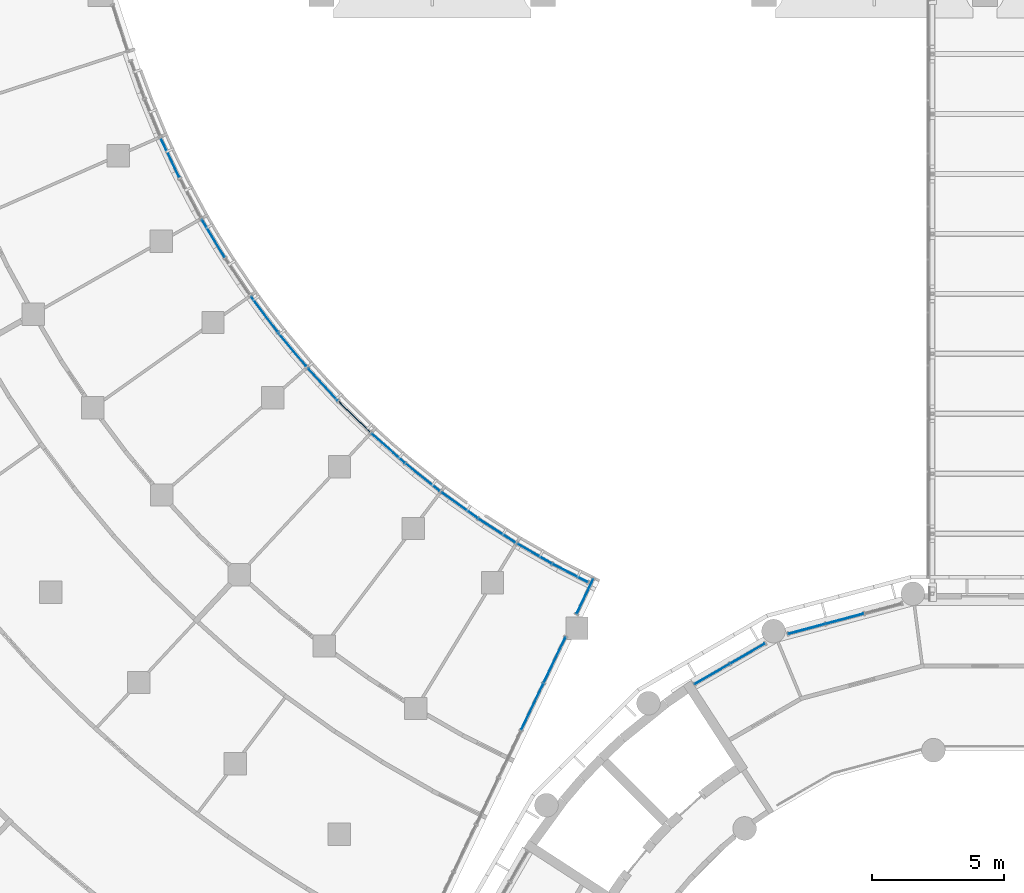
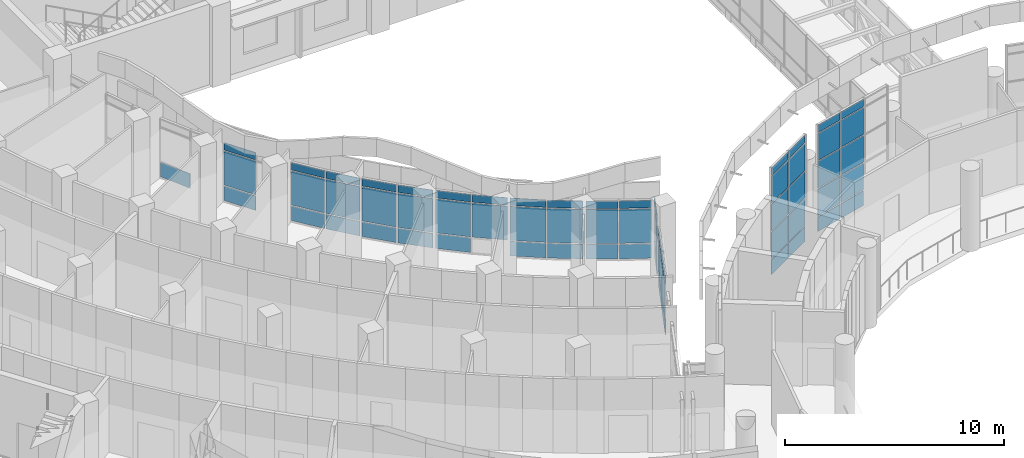
# One storey, part 47 of 136: 62 plates, 11 elements without a shape of their own.
"""IFC4 building model written with IfcOpenShell, lengths in metres."""

from ifc_helpers import new_model, si_unit, direction, frame, origin, origin_2d, place, context, subcontext, project, spatial, rectangle, extrude, material, layer, layer_set, type_object, element, aggregate, save


model = new_model("IFC4")

# Units and contexts
model_context = context("Model", 3, precision=1e-05, world=origin(), true_north=direction((0.0, 1.0)))
body_context = subcontext(model_context, "Body", "Model", "MODEL_VIEW")
ifc_project = project(units=[si_unit("LENGTHUNIT", "METRE"), si_unit("AREAUNIT", "SQUARE_METRE"), si_unit("VOLUMEUNIT", "CUBIC_METRE"), si_unit("PLANEANGLEUNIT", "RADIAN"), si_unit("MASSUNIT", "GRAM", prefix="KILO")], contexts=[model_context])

# Site, building, storey
site_placement = place(None, origin())
site = spatial("IfcSite", under=ifc_project, at=site_placement, CompositionType="ELEMENT")
building_placement = place(site_placement, origin())
building = spatial("IfcBuilding", under=site, at=building_placement, Name="Bougainvillea Quay General Hospital", CompositionType="ELEMENT")
storey_placement = place(building_placement, frame((0.0, 0.0, 5.39990234375)))
storey = spatial("IfcBuildingStorey", under=building, at=storey_placement, Name="L01", CompositionType="ELEMENT", Elevation=5.39990234375)

# Curtain wall, plates
ifc_material_1 = material(Name="Aluminium curtain wall system, powder-coated glazed", Category="aluminium")
curtain_wall_type_1 = type_object("IfcCurtainWallType", Name="Unitised curtain wall CW-1985", PredefinedType="NOTDEFINED", material=ifc_material_1)
curtain_wall_1_placement = place(storey_placement, origin())
curtain_wall_1 = element("IfcCurtainWall", 1, at=curtain_wall_1_placement, inside=storey, type_object=curtain_wall_type_1, Name="CW-AE 00", PredefinedType="NOTDEFINED")
ifc_material_2 = material(Name="Insulated aluminium spandrel panel, white", Category="aluminium")
ifc_layer_1 = layer(ifc_material_2, 0.028076171875)
ifc_layer_set_1 = layer_set([ifc_layer_1], Name="Insulated aluminium spandrel panel, white")
plate_type_1 = type_object("IfcPlateType", Name="Insulated spandrel panel white 28", PredefinedType="CURTAIN_PANEL", material=ifc_layer_set_1)
plate_1_placement = place(storey_placement, frame((92.002685546875, 90.52587890625, 0.06005859375), z_axis=(0.0, 0.0, 1.0), x_axis=(0.430563040838, 0.902560506484, 0.0)))
plate_1 = element("IfcPlate", 2, at=plate_1_placement, type_object=plate_type_1, Name="CW-AE spandrel panel 6.1", PredefinedType="CURTAIN_PANEL", context=body_context, shape_type="SweptSolid", body=[
    extrude(rectangle(XDim=1.9248046875, YDim=0.028076171875, at=origin_2d()), origin(), (0.0, 0.0, 1.0), 0.81005859375),
])
plate_2_placement = place(storey_placement, frame((92.002685546875, 90.52587890625, 2.88037109375), z_axis=(0.0, 0.0, 1.0), x_axis=(0.430563040838, 0.902560506484, 0.0)))
plate_2 = element("IfcPlate", 3, at=plate_2_placement, type_object=plate_type_1, Name="CW-AE spandrel panel 6.3", PredefinedType="CURTAIN_PANEL", context=body_context, shape_type="SweptSolid", body=[
    extrude(rectangle(XDim=1.9248046875, YDim=0.028076171875, at=origin_2d()), origin(), (0.0, 0.0, 1.0), 0.409912109375),
])
plate_3_placement = place(storey_placement, frame((92.850830078125, 92.3037109375, 0.06005859375), z_axis=(0.0, 0.0, 1.0), x_axis=(0.430563040838, 0.902560506484, 0.0)))
plate_3 = element("IfcPlate", 4, at=plate_3_placement, type_object=plate_type_1, Name="CW-AE spandrel panel 7.1", PredefinedType="CURTAIN_PANEL", context=body_context, shape_type="SweptSolid", body=[
    extrude(rectangle(XDim=1.894775390625, YDim=0.028076171875, at=origin_2d()), origin(), (0.0, 0.0, 1.0), 0.81005859375),
])
plate_4_placement = place(storey_placement, frame((92.850830078125, 92.3037109375, 2.88037109375), z_axis=(0.0, 0.0, 1.0), x_axis=(0.430563040838, 0.902560506484, 0.0)))
plate_4 = element("IfcPlate", 5, at=plate_4_placement, type_object=plate_type_1, Name="CW-AE spandrel panel 7.3", PredefinedType="CURTAIN_PANEL", context=body_context, shape_type="SweptSolid", body=[
    extrude(rectangle(XDim=1.894775390625, YDim=0.028076171875, at=origin_2d()), origin(), (0.0, 0.0, 1.0), 0.409912109375),
])

curtain_wall_type_2 = type_object("IfcCurtainWallType", Name="Unitised curtain wall CW-1555", PredefinedType="NOTDEFINED", material=ifc_material_1)
curtain_wall_2_placement = place(storey_placement, origin())
curtain_wall_2 = element("IfcCurtainWall", 6, at=curtain_wall_2_placement, inside=storey, type_object=curtain_wall_type_2, Name="CW-AE 01", PredefinedType="NOTDEFINED")
plate_5_placement = place(storey_placement, frame((94.002685546875, 94.718017578125, 0.06005859375), z_axis=(0.0, 0.0, 1.0), x_axis=(0.430563040838, 0.902560506484, 0.0)))
plate_5 = element("IfcPlate", 7, at=plate_5_placement, type_object=plate_type_1, Name="CW-AE spandrel panel 1.1", PredefinedType="CURTAIN_PANEL", context=body_context, shape_type="SweptSolid", body=[
    extrude(rectangle(XDim=1.434814453125, YDim=0.028076171875, at=origin_2d()), origin(), (0.0, 0.0, 1.0), 0.81005859375),
])
plate_6_placement = place(storey_placement, frame((94.002685546875, 94.718017578125, 2.88037109375), z_axis=(0.0, 0.0, 1.0), x_axis=(0.430563040838, 0.902560506484, 0.0)))
plate_6 = element("IfcPlate", 8, at=plate_6_placement, type_object=plate_type_1, Name="CW-AE spandrel panel 1.3", PredefinedType="CURTAIN_PANEL", context=body_context, shape_type="SweptSolid", body=[
    extrude(rectangle(XDim=1.434814453125, YDim=0.028076171875, at=origin_2d()), origin(), (0.0, 0.0, 1.0), 0.409912109375),
])

curtain_wall_type_3 = type_object("IfcCurtainWallType", Name="Unitised curtain wall CW-2100", PredefinedType="NOTDEFINED", material=ifc_material_1)
curtain_wall_3_placement = place(storey_placement, origin())
curtain_wall_3 = element("IfcCurtainWall", 9, at=curtain_wall_3_placement, inside=storey, type_object=curtain_wall_type_3, Name="CW-W01 a11b0", PredefinedType="NOTDEFINED")
plate_7_placement = place(storey_placement, frame((93.4384765625, 95.602294921875, 0.06005859375), z_axis=(0.0, 0.0, 1.0), x_axis=(-0.887958036873, 0.459924477228, 0.0)))
plate_7 = element("IfcPlate", 10, at=plate_7_placement, type_object=plate_type_1, Name="CW-W01 spandrel panel 1.1", PredefinedType="CURTAIN_PANEL", context=body_context, shape_type="SweptSolid", body=[
    extrude(rectangle(XDim=1.475830078125, YDim=0.028076171875, at=origin_2d()), origin(), (0.0, 0.0, 1.0), 0.81005859375),
])
plate_8_placement = place(storey_placement, frame((93.4384765625, 95.602294921875, 2.88037109375), z_axis=(0.0, 0.0, 1.0), x_axis=(-0.887958036873, 0.459924477228, 0.0)))
plate_8 = element("IfcPlate", 11, at=plate_8_placement, type_object=plate_type_1, Name="CW-W01 spandrel panel 1.3", PredefinedType="CURTAIN_PANEL", context=body_context, shape_type="SweptSolid", body=[
    extrude(rectangle(XDim=1.475830078125, YDim=0.028076171875, at=origin_2d()), origin(), (0.0, 0.0, 1.0), 0.409912109375),
])
plate_9_placement = place(storey_placement, frame((92.09130859375, 96.339599609375, 0.06005859375), z_axis=(0.0, 0.0, 1.0), x_axis=(-0.866007268476, 0.50003140996, 0.0)))
plate_9 = element("IfcPlate", 12, at=plate_9_placement, type_object=plate_type_1, Name="CW-W01 spandrel panel 2.1", PredefinedType="CURTAIN_PANEL", context=body_context, shape_type="SweptSolid", body=[
    extrude(rectangle(XDim=1.475830078125, YDim=0.028076171875, at=origin_2d()), origin(), (0.0, 0.0, 1.0), 0.81005859375),
])
plate_10_placement = place(storey_placement, frame((92.09130859375, 96.339599609375, 2.88037109375), z_axis=(0.0, 0.0, 1.0), x_axis=(-0.866007268476, 0.50003140996, 0.0)))
plate_10 = element("IfcPlate", 13, at=plate_10_placement, type_object=plate_type_1, Name="CW-W01 spandrel panel 2.3", PredefinedType="CURTAIN_PANEL", context=body_context, shape_type="SweptSolid", body=[
    extrude(rectangle(XDim=1.475830078125, YDim=0.028076171875, at=origin_2d()), origin(), (0.0, 0.0, 1.0), 0.409912109375),
])

curtain_wall_4_placement = place(storey_placement, origin())
curtain_wall_4 = element("IfcCurtainWall", 14, at=curtain_wall_4_placement, inside=storey, type_object=curtain_wall_type_3, Name="CW-W02 a11b1", PredefinedType="NOTDEFINED")
plate_11_placement = place(storey_placement, frame((90.657470703125, 97.216796875, 0.06005859375), z_axis=(0.0, 0.0, 1.0), x_axis=(-0.840897357359, 0.541194636325, 0.0)))
plate_11 = element("IfcPlate", 15, at=plate_11_placement, type_object=plate_type_1, Name="CW-W02 spandrel panel 1.1", PredefinedType="CURTAIN_PANEL", context=body_context, shape_type="SweptSolid", body=[
    extrude(rectangle(XDim=1.64697265625, YDim=0.028076171875, at=origin_2d()), origin(), (0.0, 0.0, 1.0), 0.81005859375),
])
plate_12_placement = place(storey_placement, frame((90.657470703125, 97.216796875, 2.88037109375), z_axis=(0.0, 0.0, 1.0), x_axis=(-0.840897357359, 0.541194636325, 0.0)))
plate_12 = element("IfcPlate", 16, at=plate_12_placement, type_object=plate_type_1, Name="CW-W02 spandrel panel 1.3", PredefinedType="CURTAIN_PANEL", context=body_context, shape_type="SweptSolid", body=[
    extrude(rectangle(XDim=1.64697265625, YDim=0.028076171875, at=origin_2d()), origin(), (0.0, 0.0, 1.0), 0.409912109375),
])
plate_13_placement = place(storey_placement, frame((89.246337890625, 98.17626953125, 0.06005859375), z_axis=(0.0, 0.0, 1.0), x_axis=(-0.812378779606, 0.583130104218, 0.0)))
plate_13 = element("IfcPlate", 17, at=plate_13_placement, type_object=plate_type_1, Name="CW-W02 spandrel panel 2.1", PredefinedType="CURTAIN_PANEL", context=body_context, shape_type="SweptSolid", body=[
    extrude(rectangle(XDim=1.64697265625, YDim=0.028076171875, at=origin_2d()), origin(), (0.0, 0.0, 1.0), 0.81005859375),
])
plate_14_placement = place(storey_placement, frame((89.246337890625, 98.17626953125, 2.88037109375), z_axis=(0.0, 0.0, 1.0), x_axis=(-0.812378779606, 0.583130104218, 0.0)))
plate_14 = element("IfcPlate", 18, at=plate_14_placement, type_object=plate_type_1, Name="CW-W02 spandrel panel 2.3", PredefinedType="CURTAIN_PANEL", context=body_context, shape_type="SweptSolid", body=[
    extrude(rectangle(XDim=1.64697265625, YDim=0.028076171875, at=origin_2d()), origin(), (0.0, 0.0, 1.0), 0.409912109375),
])

curtain_wall_5_placement = place(storey_placement, origin())
curtain_wall_5 = element("IfcCurtainWall", 19, at=curtain_wall_5_placement, inside=storey, type_object=curtain_wall_type_3, Name="CW-W03 a11b2", PredefinedType="NOTDEFINED")
plate_15_placement = place(storey_placement, frame((87.838134765625, 99.242431640625, 2.88037109375), z_axis=(0.0, 0.0, 1.0), x_axis=(-0.781770850765, 0.623565824026, 0.0)))
plate_15 = element("IfcPlate", 20, at=plate_15_placement, type_object=plate_type_1, Name="CW-W03 spandrel panel 1.3", PredefinedType="CURTAIN_PANEL", context=body_context, shape_type="SweptSolid", body=[
    extrude(rectangle(XDim=1.64697265625, YDim=0.028076171875, at=origin_2d()), origin(), (0.0, 0.0, 1.0), 0.409912109375),
])
plate_16_placement = place(storey_placement, frame((86.531494140625, 100.33984375, 0.06005859375), z_axis=(0.0, 0.0, 1.0), x_axis=(-0.749152291145, 0.662397799417, 0.0)))
plate_16 = element("IfcPlate", 21, at=plate_16_placement, type_object=plate_type_1, Name="CW-W03 spandrel panel 2.1", PredefinedType="CURTAIN_PANEL", context=body_context, shape_type="SweptSolid", body=[
    extrude(rectangle(XDim=1.64697265625, YDim=0.028076171875, at=origin_2d()), origin(), (0.0, 0.0, 1.0), 0.81005859375),
])
plate_17_placement = place(storey_placement, frame((86.531494140625, 100.33984375, 2.88037109375), z_axis=(0.0, 0.0, 1.0), x_axis=(-0.749152291145, 0.662397799417, 0.0)))
plate_17 = element("IfcPlate", 22, at=plate_17_placement, type_object=plate_type_1, Name="CW-W03 spandrel panel 2.3", PredefinedType="CURTAIN_PANEL", context=body_context, shape_type="SweptSolid", body=[
    extrude(rectangle(XDim=1.64697265625, YDim=0.028076171875, at=origin_2d()), origin(), (0.0, 0.0, 1.0), 0.409912109375),
])

curtain_wall_6_placement = place(storey_placement, origin())
curtain_wall_6 = element("IfcCurtainWall", 23, at=curtain_wall_6_placement, inside=storey, type_object=curtain_wall_type_3, Name="CW-W04 a11b3", PredefinedType="NOTDEFINED")
plate_18_placement = place(storey_placement, frame((85.23828125, 101.543212890625, 0.06005859375), z_axis=(0.0, 0.0, 1.0), x_axis=(-0.714606992183, 0.699526158712, 0.0)))
plate_18 = element("IfcPlate", 24, at=plate_18_placement, type_object=plate_type_1, Name="CW-W04 spandrel panel 1.1", PredefinedType="CURTAIN_PANEL", context=body_context, shape_type="SweptSolid", body=[
    extrude(rectangle(XDim=1.64697265625, YDim=0.028076171875, at=origin_2d()), origin(), (0.0, 0.0, 1.0), 0.81005859375),
])
plate_19_placement = place(storey_placement, frame((85.23828125, 101.543212890625, 2.88037109375), z_axis=(0.0, 0.0, 1.0), x_axis=(-0.714606992183, 0.699526158712, 0.0)))
plate_19 = element("IfcPlate", 25, at=plate_19_placement, type_object=plate_type_1, Name="CW-W04 spandrel panel 1.3", PredefinedType="CURTAIN_PANEL", context=body_context, shape_type="SweptSolid", body=[
    extrude(rectangle(XDim=1.64697265625, YDim=0.028076171875, at=origin_2d()), origin(), (0.0, 0.0, 1.0), 0.409912109375),
])
plate_20_placement = place(storey_placement, frame((84.049560546875, 102.767333984375, 0.06005859375), z_axis=(0.0, 0.0, 1.0), x_axis=(-0.678223800683, 0.734855411756, 0.0)))
plate_20 = element("IfcPlate", 26, at=plate_20_placement, type_object=plate_type_1, Name="CW-W04 spandrel panel 2.1", PredefinedType="CURTAIN_PANEL", context=body_context, shape_type="SweptSolid", body=[
    extrude(rectangle(XDim=1.64697265625, YDim=0.028076171875, at=origin_2d()), origin(), (0.0, 0.0, 1.0), 0.81005859375),
])
plate_21_placement = place(storey_placement, frame((84.049560546875, 102.767333984375, 2.88037109375), z_axis=(0.0, 0.0, 1.0), x_axis=(-0.678223800683, 0.734855411756, 0.0)))
plate_21 = element("IfcPlate", 27, at=plate_21_placement, type_object=plate_type_1, Name="CW-W04 spandrel panel 2.3", PredefinedType="CURTAIN_PANEL", context=body_context, shape_type="SweptSolid", body=[
    extrude(rectangle(XDim=1.64697265625, YDim=0.028076171875, at=origin_2d()), origin(), (0.0, 0.0, 1.0), 0.409912109375),
])

curtain_wall_7_placement = place(storey_placement, origin())
curtain_wall_7 = element("IfcCurtainWall", 28, at=curtain_wall_7_placement, inside=storey, type_object=curtain_wall_type_3, Name="CW-W05 a11b4", PredefinedType="NOTDEFINED")
plate_22_placement = place(storey_placement, frame((82.884765625, 104.09521484375, 0.06005859375), z_axis=(0.0, 0.0, 1.0), x_axis=(-0.64009629031, 0.768294695498, 0.0)))
plate_22 = element("IfcPlate", 29, at=plate_22_placement, type_object=plate_type_1, Name="CW-W05 spandrel panel 1.1", PredefinedType="CURTAIN_PANEL", context=body_context, shape_type="SweptSolid", body=[
    extrude(rectangle(XDim=1.64697265625, YDim=0.028076171875, at=origin_2d()), origin(), (0.0, 0.0, 1.0), 0.81005859375),
])
plate_23_placement = place(storey_placement, frame((82.884765625, 104.09521484375, 2.88037109375), z_axis=(0.0, 0.0, 1.0), x_axis=(-0.64009629031, 0.768294695498, 0.0)))
plate_23 = element("IfcPlate", 30, at=plate_23_placement, type_object=plate_type_1, Name="CW-W05 spandrel panel 1.3", PredefinedType="CURTAIN_PANEL", context=body_context, shape_type="SweptSolid", body=[
    extrude(rectangle(XDim=1.64697265625, YDim=0.028076171875, at=origin_2d()), origin(), (0.0, 0.0, 1.0), 0.409912109375),
])
plate_24_placement = place(storey_placement, frame((81.826171875, 105.43359375, 0.06005859375), z_axis=(0.0, 0.0, 1.0), x_axis=(-0.600322520933, 0.799758007688, 0.0)))
plate_24 = element("IfcPlate", 31, at=plate_24_placement, type_object=plate_type_1, Name="CW-W05 spandrel panel 2.1", PredefinedType="CURTAIN_PANEL", context=body_context, shape_type="SweptSolid", body=[
    extrude(rectangle(XDim=1.64697265625, YDim=0.028076171875, at=origin_2d()), origin(), (0.0, 0.0, 1.0), 0.81005859375),
])
plate_25_placement = place(storey_placement, frame((81.826171875, 105.43359375, 2.88037109375), z_axis=(0.0, 0.0, 1.0), x_axis=(-0.600322520933, 0.799758007688, 0.0)))
plate_25 = element("IfcPlate", 32, at=plate_25_placement, type_object=plate_type_1, Name="CW-W05 spandrel panel 2.3", PredefinedType="CURTAIN_PANEL", context=body_context, shape_type="SweptSolid", body=[
    extrude(rectangle(XDim=1.64697265625, YDim=0.028076171875, at=origin_2d()), origin(), (0.0, 0.0, 1.0), 0.409912109375),
])

curtain_wall_8_placement = place(storey_placement, origin())
curtain_wall_8 = element("IfcCurtainWall", 33, at=curtain_wall_8_placement, inside=storey, type_object=curtain_wall_type_3, Name="CW-W06 a11b5", PredefinedType="NOTDEFINED")
plate_26_placement = place(storey_placement, frame((79.88427734375, 108.311279296875, 0.06005859375), z_axis=(0.0, 0.0, 1.0), x_axis=(-0.516249351553, 0.856438326455, 0.0)))
plate_26 = element("IfcPlate", 34, at=plate_26_placement, type_object=plate_type_1, Name="CW-W06 spandrel panel 2.1", PredefinedType="CURTAIN_PANEL", context=body_context, shape_type="SweptSolid", body=[
    extrude(rectangle(XDim=1.64697265625, YDim=0.028076171875, at=origin_2d()), origin(), (0.0, 0.0, 1.0), 0.81005859375),
])
plate_27_placement = place(storey_placement, frame((79.88427734375, 108.311279296875, 2.88037109375), z_axis=(0.0, 0.0, 1.0), x_axis=(-0.516249351553, 0.856438326455, 0.0)))
plate_27 = element("IfcPlate", 35, at=plate_27_placement, type_object=plate_type_1, Name="CW-W06 spandrel panel 2.3", PredefinedType="CURTAIN_PANEL", context=body_context, shape_type="SweptSolid", body=[
    extrude(rectangle(XDim=1.64697265625, YDim=0.028076171875, at=origin_2d()), origin(), (0.0, 0.0, 1.0), 0.409912109375),
])

# Curtain wall, plate
curtain_wall_9_placement = place(storey_placement, origin())
curtain_wall_9 = element("IfcCurtainWall", 36, at=curtain_wall_9_placement, inside=storey, type_object=curtain_wall_type_3, Name="CW-W07 a11b6", PredefinedType="NOTDEFINED")
plate_28_placement = place(storey_placement, frame((78.24365234375, 111.370849609375, 0.06005859375), z_axis=(0.0, 0.0, 1.0), x_axis=(-0.426868645126, 0.904313640176, 0.0)))
plate_28 = element("IfcPlate", 37, at=plate_28_placement, type_object=plate_type_1, Name="CW-W07 spandrel panel 2.1", PredefinedType="CURTAIN_PANEL", context=body_context, shape_type="SweptSolid", body=[
    extrude(rectangle(XDim=1.64697265625, YDim=0.028076171875, at=origin_2d()), origin(), (0.0, 0.0, 1.0), 0.81005859375),
])
aggregate(curtain_wall_9, [plate_28])

# Curtain wall, plates
curtain_wall_type_4 = type_object("IfcCurtainWallType", Name="Unitised curtain wall CW-1514", PredefinedType="NOTDEFINED", material=ifc_material_1)
curtain_wall_10_placement = place(storey_placement, origin())
curtain_wall_10 = element("IfcCurtainWall", 38, at=curtain_wall_10_placement, inside=storey, type_object=curtain_wall_type_4, Name="CW-D 00", PredefinedType="NOTDEFINED")
plate_29_placement = place(storey_placement, frame((103.876220703125, 93.869140625, 0.06005859375), z_axis=(0.0, 0.0, 1.0), x_axis=(-0.965916292974, -0.258854621298, 0.0)))
plate_29 = element("IfcPlate", 39, at=plate_29_placement, type_object=plate_type_1, Name="CW-D spandrel panel 2.1", PredefinedType="CURTAIN_PANEL", context=body_context, shape_type="SweptSolid", body=[
    extrude(rectangle(XDim=1.453857421875, YDim=0.028076171875, at=origin_2d()), origin(), (0.0, 0.0, 1.0), 0.81005859375),
])
plate_30_placement = place(storey_placement, frame((103.876220703125, 93.869140625, 5.580078125), z_axis=(0.0, 0.0, 1.0), x_axis=(-0.965916292974, -0.258854621298, 0.0)))
plate_30 = element("IfcPlate", 40, at=plate_30_placement, type_object=plate_type_1, Name="CW-D spandrel panel 2.5", PredefinedType="CURTAIN_PANEL", context=body_context, shape_type="SweptSolid", body=[
    extrude(rectangle(XDim=1.453857421875, YDim=0.028076171875, at=origin_2d()), origin(), (0.0, 0.0, 1.0), 0.409912109375),
])
plate_31_placement = place(storey_placement, frame((102.428466796875, 93.48095703125, 0.06005859375), z_axis=(0.0, 0.0, 1.0), x_axis=(-0.965916292974, -0.258854621298, 0.0)))
plate_31 = element("IfcPlate", 41, at=plate_31_placement, type_object=plate_type_1, Name="CW-D spandrel panel 3.1", PredefinedType="CURTAIN_PANEL", context=body_context, shape_type="SweptSolid", body=[
    extrude(rectangle(XDim=1.423828125, YDim=0.028076171875, at=origin_2d()), origin(), (0.0, 0.0, 1.0), 0.81005859375),
])
plate_32_placement = place(storey_placement, frame((102.428466796875, 93.48095703125, 5.580078125), z_axis=(0.0, 0.0, 1.0), x_axis=(-0.965916292974, -0.258854621298, 0.0)))
plate_32 = element("IfcPlate", 42, at=plate_32_placement, type_object=plate_type_1, Name="CW-D spandrel panel 3.5", PredefinedType="CURTAIN_PANEL", context=body_context, shape_type="SweptSolid", body=[
    extrude(rectangle(XDim=1.423828125, YDim=0.028076171875, at=origin_2d()), origin(), (0.0, 0.0, 1.0), 0.409912109375),
])

curtain_wall_type_5 = type_object("IfcCurtainWallType", Name="Unitised curtain wall CW-1585", PredefinedType="NOTDEFINED", material=ifc_material_1)
curtain_wall_11_placement = place(storey_placement, origin())
curtain_wall_11 = element("IfcCurtainWall", 43, at=curtain_wall_11_placement, inside=storey, type_object=curtain_wall_type_5, Name="CW-D 00", PredefinedType="NOTDEFINED")
plate_33_placement = place(storey_placement, frame((100.1826171875, 92.5458984375, 0.06005859375), z_axis=(0.0, 0.0, 1.0), x_axis=(-0.866045865692, -0.499964557262, 0.0)))
plate_33 = element("IfcPlate", 44, at=plate_33_placement, type_object=plate_type_1, Name="CW-D spandrel panel 1.1", PredefinedType="CURTAIN_PANEL", context=body_context, shape_type="SweptSolid", body=[
    extrude(rectangle(XDim=1.494873046875, YDim=0.028076171875, at=origin_2d()), origin(), (0.0, 0.0, 1.0), 0.81005859375),
])
plate_34_placement = place(storey_placement, frame((100.1826171875, 92.5458984375, 5.580078125), z_axis=(0.0, 0.0, 1.0), x_axis=(-0.866045865692, -0.499964557262, 0.0)))
plate_34 = element("IfcPlate", 45, at=plate_34_placement, type_object=plate_type_1, Name="CW-D spandrel panel 1.5", PredefinedType="CURTAIN_PANEL", context=body_context, shape_type="SweptSolid", body=[
    extrude(rectangle(XDim=1.494873046875, YDim=0.028076171875, at=origin_2d()), origin(), (0.0, 0.0, 1.0), 0.409912109375),
])
plate_35_placement = place(storey_placement, frame((98.8359375, 91.768310546875, 0.06005859375), z_axis=(0.0, 0.0, 1.0), x_axis=(-0.866045865692, -0.499964557262, 0.0)))
plate_35 = element("IfcPlate", 46, at=plate_35_placement, type_object=plate_type_1, Name="CW-D spandrel panel 2.1", PredefinedType="CURTAIN_PANEL", context=body_context, shape_type="SweptSolid", body=[
    extrude(rectangle(XDim=1.494873046875, YDim=0.028076171875, at=origin_2d()), origin(), (0.0, 0.0, 1.0), 0.81005859375),
])
plate_36_placement = place(storey_placement, frame((98.8359375, 91.768310546875, 5.580078125), z_axis=(0.0, 0.0, 1.0), x_axis=(-0.866045865692, -0.499964557262, 0.0)))
plate_36 = element("IfcPlate", 47, at=plate_36_placement, type_object=plate_type_1, Name="CW-D spandrel panel 2.5", PredefinedType="CURTAIN_PANEL", context=body_context, shape_type="SweptSolid", body=[
    extrude(rectangle(XDim=1.494873046875, YDim=0.028076171875, at=origin_2d()), origin(), (0.0, 0.0, 1.0), 0.409912109375),
])

# Plate
ifc_material_3 = material(Name="Low-e laminated glass, solar control", Category="glass")
ifc_layer_2 = layer(ifc_material_3, 0.028076171875)
ifc_layer_set_2 = layer_set([ifc_layer_2], Name="Low-e laminated glass, solar control")
plate_type_2 = type_object("IfcPlateType", Name="Low-e laminated vision glass 28", PredefinedType="CURTAIN_PANEL", material=ifc_layer_set_2)
plate_37_placement = place(storey_placement, frame((92.002685546875, 90.52587890625, 0.93017578125), z_axis=(0.0, 0.0, 1.0), x_axis=(0.430563040838, 0.902560506484, 0.0)))
plate_37 = element("IfcPlate", 48, at=plate_37_placement, type_object=plate_type_2, Name="CW-AE vision glass panel 6.2", PredefinedType="CURTAIN_PANEL", context=body_context, shape_type="SweptSolid", body=[
    extrude(rectangle(XDim=1.9248046875, YDim=0.028076171875, at=origin_2d()), origin(), (0.0, 0.0, 1.0), 1.889892578125),
])

plate_38_placement = place(storey_placement, frame((92.850830078125, 92.3037109375, 0.93017578125), z_axis=(0.0, 0.0, 1.0), x_axis=(0.430563040838, 0.902560506484, 0.0)))
plate_38 = element("IfcPlate", 49, at=plate_38_placement, type_object=plate_type_2, Name="CW-AE vision glass panel 7.2", PredefinedType="CURTAIN_PANEL", context=body_context, shape_type="SweptSolid", body=[
    extrude(rectangle(XDim=1.894775390625, YDim=0.028076171875, at=origin_2d()), origin(), (0.0, 0.0, 1.0), 1.889892578125),
])

aggregate(curtain_wall_1, [plate_1, plate_37, plate_2, plate_3, plate_38, plate_4])

plate_39_placement = place(storey_placement, frame((94.002685546875, 94.718017578125, 0.93017578125), z_axis=(0.0, 0.0, 1.0), x_axis=(0.430563040838, 0.902560506484, 0.0)))
plate_39 = element("IfcPlate", 50, at=plate_39_placement, type_object=plate_type_2, Name="CW-AE vision glass panel 1.2", PredefinedType="CURTAIN_PANEL", context=body_context, shape_type="SweptSolid", body=[
    extrude(rectangle(XDim=1.434814453125, YDim=0.028076171875, at=origin_2d()), origin(), (0.0, 0.0, 1.0), 1.889892578125),
])

aggregate(curtain_wall_2, [plate_5, plate_39, plate_6])

plate_40_placement = place(storey_placement, frame((93.4384765625, 95.602294921875, 0.93017578125), z_axis=(0.0, 0.0, 1.0), x_axis=(-0.887958036873, 0.459924477228, 0.0)))
plate_40 = element("IfcPlate", 51, at=plate_40_placement, type_object=plate_type_2, Name="CW-W01 vision glass panel 1.2", PredefinedType="CURTAIN_PANEL", context=body_context, shape_type="SweptSolid", body=[
    extrude(rectangle(XDim=1.475830078125, YDim=0.028076171875, at=origin_2d()), origin(), (0.0, 0.0, 1.0), 1.889892578125),
])

plate_41_placement = place(storey_placement, frame((92.09130859375, 96.339599609375, 0.93017578125), z_axis=(0.0, 0.0, 1.0), x_axis=(-0.866007268476, 0.50003140996, 0.0)))
plate_41 = element("IfcPlate", 52, at=plate_41_placement, type_object=plate_type_2, Name="CW-W01 vision glass panel 2.2", PredefinedType="CURTAIN_PANEL", context=body_context, shape_type="SweptSolid", body=[
    extrude(rectangle(XDim=1.475830078125, YDim=0.028076171875, at=origin_2d()), origin(), (0.0, 0.0, 1.0), 1.889892578125),
])

aggregate(curtain_wall_3, [plate_7, plate_40, plate_8, plate_9, plate_41, plate_10])

plate_42_placement = place(storey_placement, frame((90.657470703125, 97.216796875, 0.93017578125), z_axis=(0.0, 0.0, 1.0), x_axis=(-0.840897357359, 0.541194636325, 0.0)))
plate_42 = element("IfcPlate", 53, at=plate_42_placement, type_object=plate_type_2, Name="CW-W02 vision glass panel 1.2", PredefinedType="CURTAIN_PANEL", context=body_context, shape_type="SweptSolid", body=[
    extrude(rectangle(XDim=1.64697265625, YDim=0.028076171875, at=origin_2d()), origin(), (0.0, 0.0, 1.0), 1.889892578125),
])

plate_43_placement = place(storey_placement, frame((89.246337890625, 98.17626953125, 0.93017578125), z_axis=(0.0, 0.0, 1.0), x_axis=(-0.812378779606, 0.583130104218, 0.0)))
plate_43 = element("IfcPlate", 54, at=plate_43_placement, type_object=plate_type_2, Name="CW-W02 vision glass panel 2.2", PredefinedType="CURTAIN_PANEL", context=body_context, shape_type="SweptSolid", body=[
    extrude(rectangle(XDim=1.64697265625, YDim=0.028076171875, at=origin_2d()), origin(), (0.0, 0.0, 1.0), 1.889892578125),
])

aggregate(curtain_wall_4, [plate_11, plate_42, plate_12, plate_13, plate_43, plate_14])

plate_44_placement = place(storey_placement, frame((87.838134765625, 99.242431640625, 0.93017578125), z_axis=(0.0, 0.0, 1.0), x_axis=(-0.781770850765, 0.623565824026, 0.0)))
plate_44 = element("IfcPlate", 55, at=plate_44_placement, type_object=plate_type_2, Name="CW-W03 vision glass panel 1.2", PredefinedType="CURTAIN_PANEL", context=body_context, shape_type="SweptSolid", body=[
    extrude(rectangle(XDim=1.64697265625, YDim=0.028076171875, at=origin_2d()), origin(), (0.0, 0.0, 1.0), 1.889892578125),
])

plate_45_placement = place(storey_placement, frame((86.531494140625, 100.33984375, 0.93017578125), z_axis=(0.0, 0.0, 1.0), x_axis=(-0.749152291145, 0.662397799417, 0.0)))
plate_45 = element("IfcPlate", 56, at=plate_45_placement, type_object=plate_type_2, Name="CW-W03 vision glass panel 2.2", PredefinedType="CURTAIN_PANEL", context=body_context, shape_type="SweptSolid", body=[
    extrude(rectangle(XDim=1.64697265625, YDim=0.028076171875, at=origin_2d()), origin(), (0.0, 0.0, 1.0), 1.889892578125),
])

aggregate(curtain_wall_5, [plate_44, plate_15, plate_16, plate_45, plate_17])

plate_46_placement = place(storey_placement, frame((85.23828125, 101.543212890625, 0.93017578125), z_axis=(0.0, 0.0, 1.0), x_axis=(-0.714606992183, 0.699526158712, 0.0)))
plate_46 = element("IfcPlate", 57, at=plate_46_placement, type_object=plate_type_2, Name="CW-W04 vision glass panel 1.2", PredefinedType="CURTAIN_PANEL", context=body_context, shape_type="SweptSolid", body=[
    extrude(rectangle(XDim=1.64697265625, YDim=0.028076171875, at=origin_2d()), origin(), (0.0, 0.0, 1.0), 1.889892578125),
])

plate_47_placement = place(storey_placement, frame((84.049560546875, 102.767333984375, 0.93017578125), z_axis=(0.0, 0.0, 1.0), x_axis=(-0.678223800683, 0.734855411756, 0.0)))
plate_47 = element("IfcPlate", 58, at=plate_47_placement, type_object=plate_type_2, Name="CW-W04 vision glass panel 2.2", PredefinedType="CURTAIN_PANEL", context=body_context, shape_type="SweptSolid", body=[
    extrude(rectangle(XDim=1.64697265625, YDim=0.028076171875, at=origin_2d()), origin(), (0.0, 0.0, 1.0), 1.889892578125),
])

aggregate(curtain_wall_6, [plate_18, plate_46, plate_19, plate_20, plate_47, plate_21])

plate_48_placement = place(storey_placement, frame((82.884765625, 104.09521484375, 0.93017578125), z_axis=(0.0, 0.0, 1.0), x_axis=(-0.64009629031, 0.768294695498, 0.0)))
plate_48 = element("IfcPlate", 59, at=plate_48_placement, type_object=plate_type_2, Name="CW-W05 vision glass panel 1.2", PredefinedType="CURTAIN_PANEL", context=body_context, shape_type="SweptSolid", body=[
    extrude(rectangle(XDim=1.64697265625, YDim=0.028076171875, at=origin_2d()), origin(), (0.0, 0.0, 1.0), 1.889892578125),
])

plate_49_placement = place(storey_placement, frame((81.826171875, 105.43359375, 0.93017578125), z_axis=(0.0, 0.0, 1.0), x_axis=(-0.600322520933, 0.799758007688, 0.0)))
plate_49 = element("IfcPlate", 60, at=plate_49_placement, type_object=plate_type_2, Name="CW-W05 vision glass panel 2.2", PredefinedType="CURTAIN_PANEL", context=body_context, shape_type="SweptSolid", body=[
    extrude(rectangle(XDim=1.64697265625, YDim=0.028076171875, at=origin_2d()), origin(), (0.0, 0.0, 1.0), 1.889892578125),
])

aggregate(curtain_wall_7, [plate_22, plate_48, plate_23, plate_24, plate_49, plate_25])

plate_50_placement = place(storey_placement, frame((79.88427734375, 108.311279296875, 0.93017578125), z_axis=(0.0, 0.0, 1.0), x_axis=(-0.516249351553, 0.856438326455, 0.0)))
plate_50 = element("IfcPlate", 61, at=plate_50_placement, type_object=plate_type_2, Name="CW-W06 vision glass panel 2.2", PredefinedType="CURTAIN_PANEL", context=body_context, shape_type="SweptSolid", body=[
    extrude(rectangle(XDim=1.64697265625, YDim=0.028076171875, at=origin_2d()), origin(), (0.0, 0.0, 1.0), 1.889892578125),
])

aggregate(curtain_wall_8, [plate_26, plate_50, plate_27])

plate_51_placement = place(storey_placement, frame((103.876220703125, 93.869140625, 0.93017578125), z_axis=(0.0, 0.0, 1.0), x_axis=(-0.965916292974, -0.258854621298, 0.0)))
plate_51 = element("IfcPlate", 62, at=plate_51_placement, type_object=plate_type_2, Name="CW-D vision glass panel 2.2", PredefinedType="CURTAIN_PANEL", context=body_context, shape_type="SweptSolid", body=[
    extrude(rectangle(XDim=1.453857421875, YDim=0.028076171875, at=origin_2d()), origin(), (0.0, 0.0, 1.0), 1.489990234375),
])

plate_52_placement = place(storey_placement, frame((103.876220703125, 93.869140625, 2.47998046875), z_axis=(0.0, 0.0, 1.0), x_axis=(-0.965916292974, -0.258854621298, 0.0)))
plate_52 = element("IfcPlate", 63, at=plate_52_placement, type_object=plate_type_2, Name="CW-D vision glass panel 2.3", PredefinedType="CURTAIN_PANEL", context=body_context, shape_type="SweptSolid", body=[
    extrude(rectangle(XDim=1.453857421875, YDim=0.028076171875, at=origin_2d()), origin(), (0.0, 0.0, 1.0), 1.489990234375),
])

plate_53_placement = place(storey_placement, frame((103.876220703125, 93.869140625, 4.0302734375), z_axis=(0.0, 0.0, 1.0), x_axis=(-0.965916292974, -0.258854621298, 0.0)))
plate_53 = element("IfcPlate", 64, at=plate_53_placement, type_object=plate_type_2, Name="CW-D vision glass panel 2.4", PredefinedType="CURTAIN_PANEL", context=body_context, shape_type="SweptSolid", body=[
    extrude(rectangle(XDim=1.453857421875, YDim=0.028076171875, at=origin_2d()), origin(), (0.0, 0.0, 1.0), 1.489990234375),
])

plate_54_placement = place(storey_placement, frame((102.428466796875, 93.48095703125, 0.93017578125), z_axis=(0.0, 0.0, 1.0), x_axis=(-0.965916292974, -0.258854621298, 0.0)))
plate_54 = element("IfcPlate", 65, at=plate_54_placement, type_object=plate_type_2, Name="CW-D vision glass panel 3.2", PredefinedType="CURTAIN_PANEL", context=body_context, shape_type="SweptSolid", body=[
    extrude(rectangle(XDim=1.423828125, YDim=0.028076171875, at=origin_2d()), origin(), (0.0, 0.0, 1.0), 1.489990234375),
])

plate_55_placement = place(storey_placement, frame((102.428466796875, 93.48095703125, 2.47998046875), z_axis=(0.0, 0.0, 1.0), x_axis=(-0.965916292974, -0.258854621298, 0.0)))
plate_55 = element("IfcPlate", 66, at=plate_55_placement, type_object=plate_type_2, Name="CW-D vision glass panel 3.3", PredefinedType="CURTAIN_PANEL", context=body_context, shape_type="SweptSolid", body=[
    extrude(rectangle(XDim=1.423828125, YDim=0.028076171875, at=origin_2d()), origin(), (0.0, 0.0, 1.0), 1.489990234375),
])

plate_56_placement = place(storey_placement, frame((102.428466796875, 93.48095703125, 4.0302734375), z_axis=(0.0, 0.0, 1.0), x_axis=(-0.965916292974, -0.258854621298, 0.0)))
plate_56 = element("IfcPlate", 67, at=plate_56_placement, type_object=plate_type_2, Name="CW-D vision glass panel 3.4", PredefinedType="CURTAIN_PANEL", context=body_context, shape_type="SweptSolid", body=[
    extrude(rectangle(XDim=1.423828125, YDim=0.028076171875, at=origin_2d()), origin(), (0.0, 0.0, 1.0), 1.489990234375),
])

aggregate(curtain_wall_10, [plate_29, plate_51, plate_52, plate_53, plate_30, plate_31, plate_54, plate_55, plate_56, plate_32])

plate_57_placement = place(storey_placement, frame((100.1826171875, 92.5458984375, 0.93017578125), z_axis=(0.0, 0.0, 1.0), x_axis=(-0.866045865692, -0.499964557262, 0.0)))
plate_57 = element("IfcPlate", 68, at=plate_57_placement, type_object=plate_type_2, Name="CW-D vision glass panel 1.2", PredefinedType="CURTAIN_PANEL", context=body_context, shape_type="SweptSolid", body=[
    extrude(rectangle(XDim=1.494873046875, YDim=0.028076171875, at=origin_2d()), origin(), (0.0, 0.0, 1.0), 1.489990234375),
])

plate_58_placement = place(storey_placement, frame((100.1826171875, 92.5458984375, 2.47998046875), z_axis=(0.0, 0.0, 1.0), x_axis=(-0.866045865692, -0.499964557262, 0.0)))
plate_58 = element("IfcPlate", 69, at=plate_58_placement, type_object=plate_type_2, Name="CW-D vision glass panel 1.3", PredefinedType="CURTAIN_PANEL", context=body_context, shape_type="SweptSolid", body=[
    extrude(rectangle(XDim=1.494873046875, YDim=0.028076171875, at=origin_2d()), origin(), (0.0, 0.0, 1.0), 1.489990234375),
])

plate_59_placement = place(storey_placement, frame((100.1826171875, 92.5458984375, 4.0302734375), z_axis=(0.0, 0.0, 1.0), x_axis=(-0.866045865692, -0.499964557262, 0.0)))
plate_59 = element("IfcPlate", 70, at=plate_59_placement, type_object=plate_type_2, Name="CW-D vision glass panel 1.4", PredefinedType="CURTAIN_PANEL", context=body_context, shape_type="SweptSolid", body=[
    extrude(rectangle(XDim=1.494873046875, YDim=0.028076171875, at=origin_2d()), origin(), (0.0, 0.0, 1.0), 1.489990234375),
])

plate_60_placement = place(storey_placement, frame((98.8359375, 91.768310546875, 0.93017578125), z_axis=(0.0, 0.0, 1.0), x_axis=(-0.866045865692, -0.499964557262, 0.0)))
plate_60 = element("IfcPlate", 71, at=plate_60_placement, type_object=plate_type_2, Name="CW-D vision glass panel 2.2", PredefinedType="CURTAIN_PANEL", context=body_context, shape_type="SweptSolid", body=[
    extrude(rectangle(XDim=1.494873046875, YDim=0.028076171875, at=origin_2d()), origin(), (0.0, 0.0, 1.0), 1.489990234375),
])

plate_61_placement = place(storey_placement, frame((98.8359375, 91.768310546875, 2.47998046875), z_axis=(0.0, 0.0, 1.0), x_axis=(-0.866045865692, -0.499964557262, 0.0)))
plate_61 = element("IfcPlate", 72, at=plate_61_placement, type_object=plate_type_2, Name="CW-D vision glass panel 2.3", PredefinedType="CURTAIN_PANEL", context=body_context, shape_type="SweptSolid", body=[
    extrude(rectangle(XDim=1.494873046875, YDim=0.028076171875, at=origin_2d()), origin(), (0.0, 0.0, 1.0), 1.489990234375),
])

plate_62_placement = place(storey_placement, frame((98.8359375, 91.768310546875, 4.0302734375), z_axis=(0.0, 0.0, 1.0), x_axis=(-0.866045865692, -0.499964557262, 0.0)))
plate_62 = element("IfcPlate", 73, at=plate_62_placement, type_object=plate_type_2, Name="CW-D vision glass panel 2.4", PredefinedType="CURTAIN_PANEL", context=body_context, shape_type="SweptSolid", body=[
    extrude(rectangle(XDim=1.494873046875, YDim=0.028076171875, at=origin_2d()), origin(), (0.0, 0.0, 1.0), 1.489990234375),
])

aggregate(curtain_wall_11, [plate_33, plate_57, plate_58, plate_59, plate_34, plate_35, plate_60, plate_61, plate_62, plate_36])

save(model, "model.ifc")
